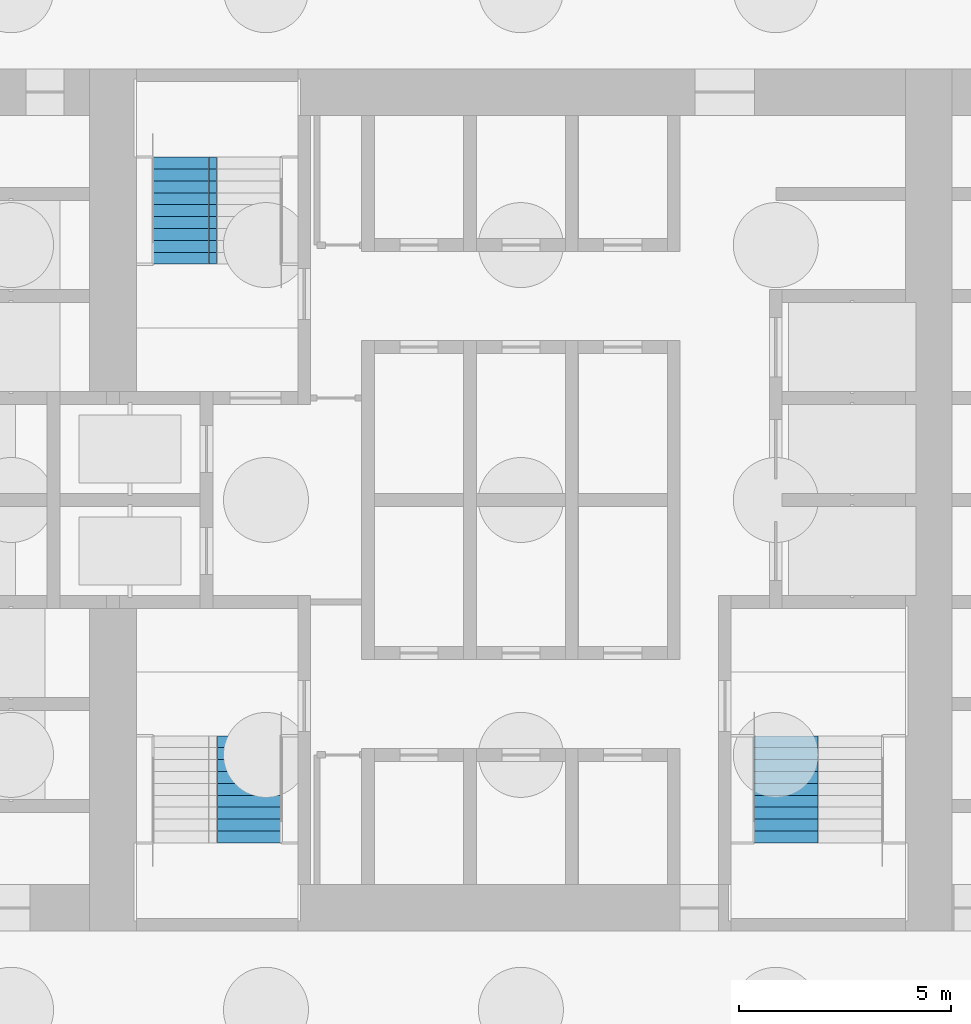
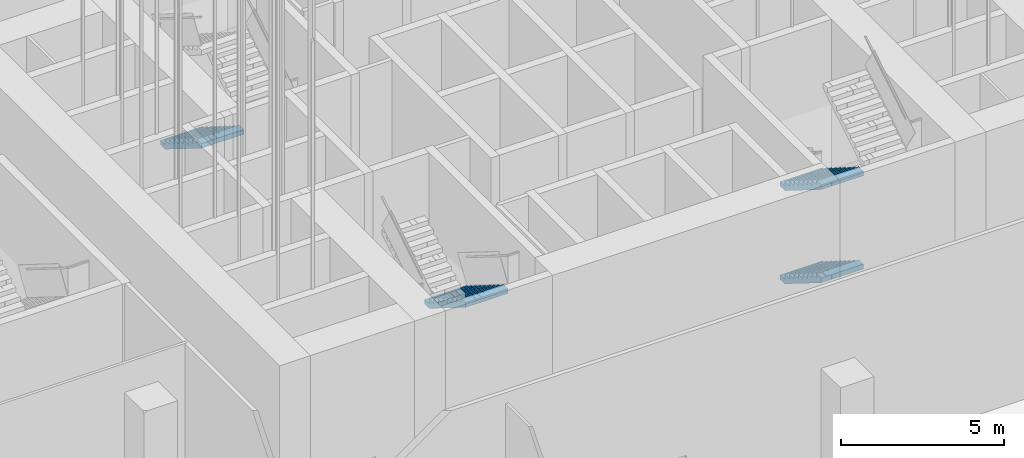
# One storey, part 23 of 68: 4 stair flights, 3 elements without a shape of their own.
"""IFC4 building model written with IfcOpenShell, lengths in metres."""

import ifcopenshell
import ifcopenshell.guid

model = None  # the IFC model being written
_history = None  # IfcOwnerHistory: only IFC2X3 demands one
_inside = {}  # id of a spatial element -> (the spatial element, [elements in it])
_under = {}  # id of a project, library or spatial element -> (it, [spatial elements below it])
_declared = {}  # id of a project -> (the project, [libraries it declares])
_typed = {}  # id of a type object -> (the type object, [elements of that type])
_made_of = {}  # id of a material, layer set ... -> (it, [elements and type objects made of it])


def new_model(schema):
    """Start an empty IFC model of exactly this schema.

    Asked for "IFC4X3", IfcOpenShell would pick the latest addendum, in which some entities
    have other attributes; the version numbers below select the first issue.
    IFC2X3 requires an IfcOwnerHistory on every rooted entity: one is made here for all.
    """
    global model, _history
    if schema == "IFC4X3":
        model = ifcopenshell.file(schema_version=(4, 3, 0, 0))
    else:
        model = ifcopenshell.file(schema=schema)
    _inside.clear()
    _under.clear()
    _declared.clear()
    _typed.clear()
    _made_of.clear()
    _history = None
    if model.schema == "IFC2X3":
        org = make("IfcOrganization", Name="unknown")
        user = make(
            "IfcPersonAndOrganization",
            ThePerson=make("IfcPerson", FamilyName="unknown"),
            TheOrganization=org,
        )
        app = make(
            "IfcApplication",
            ApplicationDeveloper=org,
            Version="unknown",
            ApplicationFullName="unknown",
            ApplicationIdentifier="unknown",
        )
        _history = make(
            "IfcOwnerHistory",
            OwningUser=user,
            OwningApplication=app,
            ChangeAction="ADDED",
            CreationDate=0,
        )
    return model


def make(cls, **values):
    """One entity of the class cls with the attributes given. An attribute that is None is left unset."""
    return model.create_entity(
        cls, **{name: value for name, value in values.items() if value is not None}
    )


def rooted(cls, **values):
    """An entity with a GlobalId (a new one), such as an element, a storey or a relation."""
    return make(cls, GlobalId=ifcopenshell.guid.new(), OwnerHistory=_history, **values)


def si_unit(unit_type, name, prefix=None):
    """IfcSIUnit, for example si_unit("LENGTHUNIT", "METRE", prefix="MILLI")."""
    return make("IfcSIUnit", UnitType=unit_type, Prefix=prefix, Name=name)


def assignment(units):
    """IfcUnitAssignment: the units of a project."""
    return None if units is None else make("IfcUnitAssignment", Units=units)


def point(xyz):
    """IfcCartesianPoint."""
    return None if xyz is None else make("IfcCartesianPoint", Coordinates=xyz)


def direction(xyz):
    """IfcDirection."""
    return None if xyz is None else make("IfcDirection", DirectionRatios=xyz)


def frame(location, z_axis=None, x_axis=None):
    """IfcAxis2Placement3D, a coordinate frame: its origin and axes. An axis left out is left unset."""
    return make(
        "IfcAxis2Placement3D",
        Location=point(location),
        Axis=direction(z_axis),
        RefDirection=direction(x_axis),
    )


def origin():
    """The frame at (0, 0, 0) with its axes left unset."""
    return frame((0.0, 0.0, 0.0))


def place(relative_to, where):
    """IfcLocalPlacement: puts the frame where relative to a parent placement (None: the world)."""
    return make(
        "IfcLocalPlacement", PlacementRelTo=relative_to, RelativePlacement=where
    )


def context(
    kind, dimensions, precision=None, world=None, true_north=None, identifier=None
):
    """IfcGeometricRepresentationContext, for example the 3D "Model" context."""
    return make(
        "IfcGeometricRepresentationContext",
        ContextIdentifier=identifier,
        ContextType=kind,
        CoordinateSpaceDimension=dimensions,
        Precision=precision,
        WorldCoordinateSystem=world,
        TrueNorth=true_north,
    )


def subcontext(parent, identifier, kind, view, scale=None):
    """IfcGeometricRepresentationSubContext, for example "Body" below "Model"."""
    return make(
        "IfcGeometricRepresentationSubContext",
        ContextIdentifier=identifier,
        ContextType=kind,
        ParentContext=parent,
        TargetScale=scale,
        TargetView=view,
    )


def project(units=None, contexts=None):
    """IfcProject with its units and contexts."""
    return rooted(
        "IfcProject",
        Name="project",
        RepresentationContexts=contexts,
        UnitsInContext=assignment(units),
    )


def spatial(cls, under=None, at=None, **own):
    """A site, building, storey or space (cls), placed at a placement, below another one or the project."""
    s = rooted(cls, ObjectPlacement=at, **own)
    if under is not None:
        _under.setdefault(under.id(), (under, []))[1].append(s)
    return s


def polyline(points):
    """IfcPolyline through the points."""
    return make("IfcPolyline", Points=[point(p) for p in points])


def outline(outer, holes=None, kind="AREA"):
    """IfcArbitraryClosedProfileDef: a profile drawn as a closed curve; with holes, ...WithVoids."""
    if holes is None:
        return make("IfcArbitraryClosedProfileDef", ProfileType=kind, OuterCurve=outer)
    return make(
        "IfcArbitraryProfileDefWithVoids",
        ProfileType=kind,
        OuterCurve=outer,
        InnerCurves=holes,
    )


def extrude(swept, where, along, depth):
    """IfcExtrudedAreaSolid: the profile swept, set in the frame where, extruded along a direction by depth."""
    return make(
        "IfcExtrudedAreaSolid",
        SweptArea=swept,
        Position=where,
        ExtrudedDirection=direction(along),
        Depth=depth,
    )


def shape(context_of_items, identifier, shape_type, items):
    """IfcShapeRepresentation: the items that make up one representation, for example the "Body"."""
    return make(
        "IfcShapeRepresentation",
        ContextOfItems=context_of_items,
        RepresentationIdentifier=identifier,
        RepresentationType=shape_type,
        Items=items,
    )


def material(Name=None, Category=None):
    """IfcMaterial."""
    return make("IfcMaterial", Name=Name, Category=Category)


def made_of(thing, what):
    """Note that an element or type object is made of a material, layer set ...; save() writes the relation."""
    if what is not None:
        _made_of.setdefault(what.id(), (what, []))[1].append(thing)
    return thing


def type_object(cls, material=None, **own):
    """A type object (cls), such as IfcWallType, which elements share."""
    return made_of(rooted(cls, **own), material)


def element(
    cls,
    number,
    at=None,
    inside=None,
    cuts=None,
    type_object=None,
    material=None,
    context=None,
    identifier="Body",
    shape_type=None,
    held_by="IfcProductDefinitionShape",
    body=None,
    shapes=None,
    **own,
):
    """One element of the class cls, such as IfcWall. Its Tag is "e" and its number.

    at: its placement. inside: the storey or other place that contains it. cuts: it is an
    opening in that element (IfcRelVoidsElement). A single representation is given by context,
    identifier, shape_type and body (its items); several are given by shapes. held_by: the class
    of the entity that holds the representations. save() writes the other relations.
    """
    e = rooted(cls, Tag="e%d" % number, ObjectPlacement=at, **own)
    if body is not None:
        shapes = [shape(context, identifier, shape_type, body)]
    if shapes is not None:
        e.Representation = make(held_by, Representations=shapes)
    if inside is not None:
        _inside.setdefault(inside.id(), (inside, []))[1].append(e)
    if cuts is not None:
        rooted(
            "IfcRelVoidsElement", RelatingBuildingElement=cuts, RelatedOpeningElement=e
        )
    if type_object is not None:
        _typed.setdefault(type_object.id(), (type_object, []))[1].append(e)
    return made_of(e, material)


def aggregate(whole, parts):
    """IfcRelAggregates: a whole, such as a stair, and the parts it consists of."""
    return rooted("IfcRelAggregates", RelatingObject=whole, RelatedObjects=parts)


def save(model, path):
    """Write the relations noted so far, then the file.

    IfcRelAggregates (storeys below a building ...), IfcRelContainedInSpatialStructure (elements
    in a storey), IfcRelDefinesByType, IfcRelAssociatesMaterial and IfcRelDeclares: one each for
    every whole, place, type object, material and project.
    """
    for whole, parts in _under.values():
        aggregate(whole, parts)
    for where, things in _inside.values():
        rooted(
            "IfcRelContainedInSpatialStructure",
            RelatedElements=things,
            RelatingStructure=where,
        )
    for kind, things in _typed.values():
        rooted("IfcRelDefinesByType", RelatedObjects=things, RelatingType=kind)
    for what, things in _made_of.values():
        rooted("IfcRelAssociatesMaterial", RelatedObjects=things, RelatingMaterial=what)
    for by, libraries in _declared.values():
        rooted("IfcRelDeclares", RelatingContext=by, RelatedDefinitions=libraries)
    model.write(path)


model = new_model("IFC4")

# Units and contexts
model_context = context("Model", 3, precision=1e-05, world=origin(), true_north=direction((0.0, 1.0)))
body_context = subcontext(model_context, "Body", "Model", "MODEL_VIEW")
ifc_project = project(units=[si_unit("LENGTHUNIT", "METRE"), si_unit("AREAUNIT", "SQUARE_METRE"), si_unit("VOLUMEUNIT", "CUBIC_METRE"), si_unit("PLANEANGLEUNIT", "RADIAN"), si_unit("MASSUNIT", "GRAM", prefix="KILO")], contexts=[model_context])

# Site, building, storey
site_placement = place(None, origin())
site = spatial("IfcSite", under=ifc_project, at=site_placement, CompositionType="ELEMENT")
building_placement = place(site_placement, origin())
building = spatial("IfcBuilding", under=site, at=building_placement, Name="Kolab Exchange Tower", CompositionType="ELEMENT")
storey_placement = place(building_placement, origin())
storey = spatial("IfcBuildingStorey", under=building, at=storey_placement, Name="L00", CompositionType="ELEMENT", Elevation=0.0)

# Stair, stair flight
ifc_material = material(Name="Concrete C50/60", Category="concrete")
stair_type_1 = type_object("IfcStairType", Name="STAIR ST1 RISER 175", PredefinedType="DOUBLE_RETURN_STAIR", material=ifc_material)
stair_1_placement = place(storey_placement, origin())
stair_1 = element("IfcStair", 1, at=stair_1_placement, inside=storey, type_object=stair_type_1, Name="Stair 1", PredefinedType="DOUBLE_RETURN_STAIR")
stair_flight_type = type_object("IfcStairFlightType", Name="STAIR FLIGHT 1500 RISER 175", PredefinedType="STRAIGHT", material=ifc_material)
stair_flight_1_placement = place(storey_placement, frame((-7.909912109375, 8.070068359375, 1.75), z_axis=(0.0, 0.0, 1.0), x_axis=(0.0, -1.0, 0.0)))
stair_flight_1 = element("IfcStairFlight", 2, at=stair_flight_1_placement, type_object=stair_flight_type, Name="ST1 flight 2", NumberOfRisers=10, NumberOfTreads=9, PredefinedType="STRAIGHT", RiserHeight=0.175, TreadLength=0.28, context=body_context, shape_type="SweptSolid", body=[
    extrude(outline(polyline([(0.0, 0.0), (0.0, 0.175048828125), (0.280029296875, 0.175048828125), (0.280029296875, 0.35009765625), (0.56005859375, 0.35009765625), (0.56005859375, 0.52490234375), (0.840087890625, 0.52490234375), (0.840087890625, 0.699951171875), (1.1201171875, 0.699951171875), (1.1201171875, 0.875), (1.39990234375, 0.875), (1.39990234375, 1.050048828125), (1.679931640625, 1.050048828125), (1.679931640625, 1.22509765625), (1.9599609375, 1.22509765625), (1.9599609375, 1.39990234375), (2.239990234375, 1.39990234375), (2.239990234375, 1.574951171875), (2.52001953125, 1.574951171875), (2.52001953125, 1.75), (2.52001953125, 1.398193359375), (0.28271484375, 0.0), (0.0, 0.0)])), frame((0.0, 0.75, 0.0), z_axis=(0.0, -1.0, 0.0), x_axis=(1.0, 0.0, 0.0)), (0.0, 0.0, 1.0), 0.185791015625),
    extrude(outline(polyline([(0.0, 0.0), (0.0, 0.175048828125), (0.280029296875, 0.175048828125), (0.280029296875, 0.35009765625), (0.56005859375, 0.35009765625), (0.56005859375, 0.52490234375), (0.840087890625, 0.52490234375), (0.840087890625, 0.699951171875), (1.1201171875, 0.699951171875), (1.1201171875, 0.875), (1.39990234375, 0.875), (1.39990234375, 1.050048828125), (1.679931640625, 1.050048828125), (1.679931640625, 1.22509765625), (1.9599609375, 1.22509765625), (1.9599609375, 1.39990234375), (2.239990234375, 1.39990234375), (2.239990234375, 1.574951171875), (2.52001953125, 1.574951171875), (2.52001953125, 1.75), (2.52001953125, 1.398193359375), (0.28271484375, 0.0), (0.0, 0.0)])), frame((0.0, 0.562255859375, 0.0), z_axis=(0.0, -1.0, 0.0), x_axis=(1.0, 0.0, 0.0)), (0.0, 0.0, 1.0), 0.185791015625),
    extrude(outline(polyline([(0.0, 0.0), (0.0, 0.175048828125), (0.280029296875, 0.175048828125), (0.280029296875, 0.35009765625), (0.56005859375, 0.35009765625), (0.56005859375, 0.52490234375), (0.840087890625, 0.52490234375), (0.840087890625, 0.699951171875), (1.1201171875, 0.699951171875), (1.1201171875, 0.875), (1.39990234375, 0.875), (1.39990234375, 1.050048828125), (1.679931640625, 1.050048828125), (1.679931640625, 1.22509765625), (1.9599609375, 1.22509765625), (1.9599609375, 1.39990234375), (2.239990234375, 1.39990234375), (2.239990234375, 1.574951171875), (2.52001953125, 1.574951171875), (2.52001953125, 1.75), (2.52001953125, 1.398193359375), (0.28271484375, 0.0), (0.0, 0.0)])), frame((0.0, 0.37451171875, 0.0), z_axis=(0.0, -1.0, 0.0), x_axis=(1.0, 0.0, 0.0)), (0.0, 0.0, 1.0), 0.185791015625),
    extrude(outline(polyline([(0.0, 0.0), (0.0, 0.175048828125), (0.280029296875, 0.175048828125), (0.280029296875, 0.35009765625), (0.56005859375, 0.35009765625), (0.56005859375, 0.52490234375), (0.840087890625, 0.52490234375), (0.840087890625, 0.699951171875), (1.1201171875, 0.699951171875), (1.1201171875, 0.875), (1.39990234375, 0.875), (1.39990234375, 1.050048828125), (1.679931640625, 1.050048828125), (1.679931640625, 1.22509765625), (1.9599609375, 1.22509765625), (1.9599609375, 1.39990234375), (2.239990234375, 1.39990234375), (2.239990234375, 1.574951171875), (2.52001953125, 1.574951171875), (2.52001953125, 1.75), (2.52001953125, 1.398193359375), (0.28271484375, 0.0), (0.0, 0.0)])), frame((0.0, 0.186767578125, 0.0), z_axis=(0.0, -1.0, 0.0), x_axis=(1.0, 0.0, 0.0)), (0.0, 0.0, 1.0), 0.185791015625),
    extrude(outline(polyline([(0.0, 0.0), (0.0, 0.175048828125), (0.280029296875, 0.175048828125), (0.280029296875, 0.35009765625), (0.56005859375, 0.35009765625), (0.56005859375, 0.52490234375), (0.840087890625, 0.52490234375), (0.840087890625, 0.699951171875), (1.1201171875, 0.699951171875), (1.1201171875, 0.875), (1.39990234375, 0.875), (1.39990234375, 1.050048828125), (1.679931640625, 1.050048828125), (1.679931640625, 1.22509765625), (1.9599609375, 1.22509765625), (1.9599609375, 1.39990234375), (2.239990234375, 1.39990234375), (2.239990234375, 1.574951171875), (2.52001953125, 1.574951171875), (2.52001953125, 1.75), (2.52001953125, 1.398193359375), (0.28271484375, 0.0), (0.0, 0.0)])), frame((0.0, -0.0009765625, 0.0), z_axis=(0.0, -1.0, 0.0), x_axis=(1.0, 0.0, 0.0)), (0.0, 0.0, 1.0), 0.185791015625),
    extrude(outline(polyline([(0.0, 0.0), (0.0, 0.175048828125), (0.280029296875, 0.175048828125), (0.280029296875, 0.35009765625), (0.56005859375, 0.35009765625), (0.56005859375, 0.52490234375), (0.840087890625, 0.52490234375), (0.840087890625, 0.699951171875), (1.1201171875, 0.699951171875), (1.1201171875, 0.875), (1.39990234375, 0.875), (1.39990234375, 1.050048828125), (1.679931640625, 1.050048828125), (1.679931640625, 1.22509765625), (1.9599609375, 1.22509765625), (1.9599609375, 1.39990234375), (2.239990234375, 1.39990234375), (2.239990234375, 1.574951171875), (2.52001953125, 1.574951171875), (2.52001953125, 1.75), (2.52001953125, 1.398193359375), (0.28271484375, 0.0), (0.0, 0.0)])), frame((0.0, -0.188720703125, 0.0), z_axis=(0.0, -1.0, 0.0), x_axis=(1.0, 0.0, 0.0)), (0.0, 0.0, 1.0), 0.185791015625),
    extrude(outline(polyline([(0.0, 0.0), (0.0, 0.175048828125), (0.280029296875, 0.175048828125), (0.280029296875, 0.35009765625), (0.56005859375, 0.35009765625), (0.56005859375, 0.52490234375), (0.840087890625, 0.52490234375), (0.840087890625, 0.699951171875), (1.1201171875, 0.699951171875), (1.1201171875, 0.875), (1.39990234375, 0.875), (1.39990234375, 1.050048828125), (1.679931640625, 1.050048828125), (1.679931640625, 1.22509765625), (1.9599609375, 1.22509765625), (1.9599609375, 1.39990234375), (2.239990234375, 1.39990234375), (2.239990234375, 1.574951171875), (2.52001953125, 1.574951171875), (2.52001953125, 1.75), (2.52001953125, 1.398193359375), (0.28271484375, 0.0), (0.0, 0.0)])), frame((0.0, -0.37646484375, 0.0), z_axis=(0.0, -1.0, 0.0), x_axis=(1.0, 0.0, 0.0)), (0.0, 0.0, 1.0), 0.185791015625),
    extrude(outline(polyline([(0.0, 0.0), (0.0, 0.175048828125), (0.280029296875, 0.175048828125), (0.280029296875, 0.35009765625), (0.56005859375, 0.35009765625), (0.56005859375, 0.52490234375), (0.840087890625, 0.52490234375), (0.840087890625, 0.699951171875), (1.1201171875, 0.699951171875), (1.1201171875, 0.875), (1.39990234375, 0.875), (1.39990234375, 1.050048828125), (1.679931640625, 1.050048828125), (1.679931640625, 1.22509765625), (1.9599609375, 1.22509765625), (1.9599609375, 1.39990234375), (2.239990234375, 1.39990234375), (2.239990234375, 1.574951171875), (2.52001953125, 1.574951171875), (2.52001953125, 1.75), (2.52001953125, 1.398193359375), (0.28271484375, 0.0), (0.0, 0.0)])), frame((0.0, -0.564208984375, 0.0), z_axis=(0.0, -1.0, 0.0), x_axis=(1.0, 0.0, 0.0)), (0.0, 0.0, 1.0), 0.185791015625),
])
aggregate(stair_1, [stair_flight_1])

stair_type_2 = type_object("IfcStairType", Name="STAIR ST3 RISER 175", PredefinedType="DOUBLE_RETURN_STAIR", material=ifc_material)
stair_2_placement = place(storey_placement, origin())
stair_2 = element("IfcStair", 3, at=stair_2_placement, inside=storey, type_object=stair_type_2, Name="Stair 3", PredefinedType="DOUBLE_RETURN_STAIR")
stair_flight_2_placement = place(storey_placement, frame((-6.389892578125, -5.550048828125, 3.5), z_axis=(0.0, 0.0, 1.0), x_axis=(0.0, -1.0, 0.0)))
stair_flight_2 = element("IfcStairFlight", 4, at=stair_flight_2_placement, type_object=stair_flight_type, Name="ST3 flight 3", NumberOfRisers=10, NumberOfTreads=9, PredefinedType="STRAIGHT", RiserHeight=0.175, TreadLength=0.28, context=body_context, shape_type="SweptSolid", body=[
    extrude(outline(polyline([(0.0, 0.0), (0.0, 0.175048828125), (0.280029296875, 0.175048828125), (0.280029296875, 0.35009765625), (0.56005859375, 0.35009765625), (0.56005859375, 0.52490234375), (0.840087890625, 0.52490234375), (0.840087890625, 0.699951171875), (1.1201171875, 0.699951171875), (1.1201171875, 0.875), (1.39990234375, 0.875), (1.39990234375, 1.050048828125), (1.679931640625, 1.050048828125), (1.679931640625, 1.22509765625), (1.9599609375, 1.22509765625), (1.9599609375, 1.39990234375), (2.239990234375, 1.39990234375), (2.239990234375, 1.574951171875), (2.52001953125, 1.574951171875), (2.52001953125, 1.75), (2.52001953125, 1.398193359375), (0.28271484375, 0.0), (0.0, 0.0)])), frame((0.0, 0.75, 0.0), z_axis=(0.0, -1.0, 0.0), x_axis=(1.0, 0.0, 0.0)), (0.0, 0.0, 1.0), 0.185791015625),
    extrude(outline(polyline([(0.0, 0.0), (0.0, 0.175048828125), (0.280029296875, 0.175048828125), (0.280029296875, 0.35009765625), (0.56005859375, 0.35009765625), (0.56005859375, 0.52490234375), (0.840087890625, 0.52490234375), (0.840087890625, 0.699951171875), (1.1201171875, 0.699951171875), (1.1201171875, 0.875), (1.39990234375, 0.875), (1.39990234375, 1.050048828125), (1.679931640625, 1.050048828125), (1.679931640625, 1.22509765625), (1.9599609375, 1.22509765625), (1.9599609375, 1.39990234375), (2.239990234375, 1.39990234375), (2.239990234375, 1.574951171875), (2.52001953125, 1.574951171875), (2.52001953125, 1.75), (2.52001953125, 1.398193359375), (0.28271484375, 0.0), (0.0, 0.0)])), frame((0.0, 0.562255859375, 0.0), z_axis=(0.0, -1.0, 0.0), x_axis=(1.0, 0.0, 0.0)), (0.0, 0.0, 1.0), 0.185791015625),
    extrude(outline(polyline([(0.0, 0.0), (0.0, 0.175048828125), (0.280029296875, 0.175048828125), (0.280029296875, 0.35009765625), (0.56005859375, 0.35009765625), (0.56005859375, 0.52490234375), (0.840087890625, 0.52490234375), (0.840087890625, 0.699951171875), (1.1201171875, 0.699951171875), (1.1201171875, 0.875), (1.39990234375, 0.875), (1.39990234375, 1.050048828125), (1.679931640625, 1.050048828125), (1.679931640625, 1.22509765625), (1.9599609375, 1.22509765625), (1.9599609375, 1.39990234375), (2.239990234375, 1.39990234375), (2.239990234375, 1.574951171875), (2.52001953125, 1.574951171875), (2.52001953125, 1.75), (2.52001953125, 1.398193359375), (0.28271484375, 0.0), (0.0, 0.0)])), frame((0.0, 0.37451171875, 0.0), z_axis=(0.0, -1.0, 0.0), x_axis=(1.0, 0.0, 0.0)), (0.0, 0.0, 1.0), 0.185791015625),
    extrude(outline(polyline([(0.0, 0.0), (0.0, 0.175048828125), (0.280029296875, 0.175048828125), (0.280029296875, 0.35009765625), (0.56005859375, 0.35009765625), (0.56005859375, 0.52490234375), (0.840087890625, 0.52490234375), (0.840087890625, 0.699951171875), (1.1201171875, 0.699951171875), (1.1201171875, 0.875), (1.39990234375, 0.875), (1.39990234375, 1.050048828125), (1.679931640625, 1.050048828125), (1.679931640625, 1.22509765625), (1.9599609375, 1.22509765625), (1.9599609375, 1.39990234375), (2.239990234375, 1.39990234375), (2.239990234375, 1.574951171875), (2.52001953125, 1.574951171875), (2.52001953125, 1.75), (2.52001953125, 1.398193359375), (0.28271484375, 0.0), (0.0, 0.0)])), frame((0.0, 0.186767578125, 0.0), z_axis=(0.0, -1.0, 0.0), x_axis=(1.0, 0.0, 0.0)), (0.0, 0.0, 1.0), 0.185791015625),
    extrude(outline(polyline([(0.0, 0.0), (0.0, 0.175048828125), (0.280029296875, 0.175048828125), (0.280029296875, 0.35009765625), (0.56005859375, 0.35009765625), (0.56005859375, 0.52490234375), (0.840087890625, 0.52490234375), (0.840087890625, 0.699951171875), (1.1201171875, 0.699951171875), (1.1201171875, 0.875), (1.39990234375, 0.875), (1.39990234375, 1.050048828125), (1.679931640625, 1.050048828125), (1.679931640625, 1.22509765625), (1.9599609375, 1.22509765625), (1.9599609375, 1.39990234375), (2.239990234375, 1.39990234375), (2.239990234375, 1.574951171875), (2.52001953125, 1.574951171875), (2.52001953125, 1.75), (2.52001953125, 1.398193359375), (0.28271484375, 0.0), (0.0, 0.0)])), frame((0.0, -0.0009765625, 0.0), z_axis=(0.0, -1.0, 0.0), x_axis=(1.0, 0.0, 0.0)), (0.0, 0.0, 1.0), 0.185791015625),
    extrude(outline(polyline([(0.0, 0.0), (0.0, 0.175048828125), (0.280029296875, 0.175048828125), (0.280029296875, 0.35009765625), (0.56005859375, 0.35009765625), (0.56005859375, 0.52490234375), (0.840087890625, 0.52490234375), (0.840087890625, 0.699951171875), (1.1201171875, 0.699951171875), (1.1201171875, 0.875), (1.39990234375, 0.875), (1.39990234375, 1.050048828125), (1.679931640625, 1.050048828125), (1.679931640625, 1.22509765625), (1.9599609375, 1.22509765625), (1.9599609375, 1.39990234375), (2.239990234375, 1.39990234375), (2.239990234375, 1.574951171875), (2.52001953125, 1.574951171875), (2.52001953125, 1.75), (2.52001953125, 1.398193359375), (0.28271484375, 0.0), (0.0, 0.0)])), frame((0.0, -0.188720703125, 0.0), z_axis=(0.0, -1.0, 0.0), x_axis=(1.0, 0.0, 0.0)), (0.0, 0.0, 1.0), 0.185791015625),
    extrude(outline(polyline([(0.0, 0.0), (0.0, 0.175048828125), (0.280029296875, 0.175048828125), (0.280029296875, 0.35009765625), (0.56005859375, 0.35009765625), (0.56005859375, 0.52490234375), (0.840087890625, 0.52490234375), (0.840087890625, 0.699951171875), (1.1201171875, 0.699951171875), (1.1201171875, 0.875), (1.39990234375, 0.875), (1.39990234375, 1.050048828125), (1.679931640625, 1.050048828125), (1.679931640625, 1.22509765625), (1.9599609375, 1.22509765625), (1.9599609375, 1.39990234375), (2.239990234375, 1.39990234375), (2.239990234375, 1.574951171875), (2.52001953125, 1.574951171875), (2.52001953125, 1.75), (2.52001953125, 1.398193359375), (0.28271484375, 0.0), (0.0, 0.0)])), frame((0.0, -0.37646484375, 0.0), z_axis=(0.0, -1.0, 0.0), x_axis=(1.0, 0.0, 0.0)), (0.0, 0.0, 1.0), 0.185791015625),
    extrude(outline(polyline([(0.0, 0.0), (0.0, 0.175048828125), (0.280029296875, 0.175048828125), (0.280029296875, 0.35009765625), (0.56005859375, 0.35009765625), (0.56005859375, 0.52490234375), (0.840087890625, 0.52490234375), (0.840087890625, 0.699951171875), (1.1201171875, 0.699951171875), (1.1201171875, 0.875), (1.39990234375, 0.875), (1.39990234375, 1.050048828125), (1.679931640625, 1.050048828125), (1.679931640625, 1.22509765625), (1.9599609375, 1.22509765625), (1.9599609375, 1.39990234375), (2.239990234375, 1.39990234375), (2.239990234375, 1.574951171875), (2.52001953125, 1.574951171875), (2.52001953125, 1.75), (2.52001953125, 1.398193359375), (0.28271484375, 0.0), (0.0, 0.0)])), frame((0.0, -0.564208984375, 0.0), z_axis=(0.0, -1.0, 0.0), x_axis=(1.0, 0.0, 0.0)), (0.0, 0.0, 1.0), 0.185791015625),
])
aggregate(stair_2, [stair_flight_2])

# Stair, stair flights
stair_type_3 = type_object("IfcStairType", Name="STAIR ST2 RISER 175", PredefinedType="DOUBLE_RETURN_STAIR", material=ifc_material)
stair_3_placement = place(storey_placement, origin())
stair_3 = element("IfcStair", 5, at=stair_3_placement, inside=storey, type_object=stair_type_3, Name="Stair 2", PredefinedType="DOUBLE_RETURN_STAIR")
stair_flight_3_placement = place(storey_placement, frame((6.239990234375, -5.550048828125, 0.0), z_axis=(0.0, 0.0, 1.0), x_axis=(0.0, -1.0, 0.0)))
stair_flight_3 = element("IfcStairFlight", 6, at=stair_flight_3_placement, type_object=stair_flight_type, Name="ST2 flight 1", NumberOfRisers=10, NumberOfTreads=9, PredefinedType="STRAIGHT", RiserHeight=0.175, TreadLength=0.28, context=body_context, shape_type="SweptSolid", body=[
    extrude(outline(polyline([(0.0, 0.0), (0.0, 0.175048828125), (0.280029296875, 0.175048828125), (0.280029296875, 0.35009765625), (0.56005859375, 0.35009765625), (0.56005859375, 0.52490234375), (0.840087890625, 0.52490234375), (0.840087890625, 0.699951171875), (1.1201171875, 0.699951171875), (1.1201171875, 0.875), (1.39990234375, 0.875), (1.39990234375, 1.050048828125), (1.679931640625, 1.050048828125), (1.679931640625, 1.22509765625), (1.9599609375, 1.22509765625), (1.9599609375, 1.39990234375), (2.239990234375, 1.39990234375), (2.239990234375, 1.574951171875), (2.52001953125, 1.574951171875), (2.52001953125, 1.75), (2.52001953125, 1.398193359375), (0.28271484375, 0.0), (0.0, 0.0)])), frame((0.0, 0.75, 0.0), z_axis=(0.0, -1.0, 0.0), x_axis=(1.0, 0.0, 0.0)), (0.0, 0.0, 1.0), 0.185791015625),
    extrude(outline(polyline([(0.0, 0.0), (0.0, 0.175048828125), (0.280029296875, 0.175048828125), (0.280029296875, 0.35009765625), (0.56005859375, 0.35009765625), (0.56005859375, 0.52490234375), (0.840087890625, 0.52490234375), (0.840087890625, 0.699951171875), (1.1201171875, 0.699951171875), (1.1201171875, 0.875), (1.39990234375, 0.875), (1.39990234375, 1.050048828125), (1.679931640625, 1.050048828125), (1.679931640625, 1.22509765625), (1.9599609375, 1.22509765625), (1.9599609375, 1.39990234375), (2.239990234375, 1.39990234375), (2.239990234375, 1.574951171875), (2.52001953125, 1.574951171875), (2.52001953125, 1.75), (2.52001953125, 1.398193359375), (0.28271484375, 0.0), (0.0, 0.0)])), frame((0.0, 0.562255859375, 0.0), z_axis=(0.0, -1.0, 0.0), x_axis=(1.0, 0.0, 0.0)), (0.0, 0.0, 1.0), 0.185791015625),
    extrude(outline(polyline([(0.0, 0.0), (0.0, 0.175048828125), (0.280029296875, 0.175048828125), (0.280029296875, 0.35009765625), (0.56005859375, 0.35009765625), (0.56005859375, 0.52490234375), (0.840087890625, 0.52490234375), (0.840087890625, 0.699951171875), (1.1201171875, 0.699951171875), (1.1201171875, 0.875), (1.39990234375, 0.875), (1.39990234375, 1.050048828125), (1.679931640625, 1.050048828125), (1.679931640625, 1.22509765625), (1.9599609375, 1.22509765625), (1.9599609375, 1.39990234375), (2.239990234375, 1.39990234375), (2.239990234375, 1.574951171875), (2.52001953125, 1.574951171875), (2.52001953125, 1.75), (2.52001953125, 1.398193359375), (0.28271484375, 0.0), (0.0, 0.0)])), frame((0.0, 0.37451171875, 0.0), z_axis=(0.0, -1.0, 0.0), x_axis=(1.0, 0.0, 0.0)), (0.0, 0.0, 1.0), 0.185791015625),
    extrude(outline(polyline([(0.0, 0.0), (0.0, 0.175048828125), (0.280029296875, 0.175048828125), (0.280029296875, 0.35009765625), (0.56005859375, 0.35009765625), (0.56005859375, 0.52490234375), (0.840087890625, 0.52490234375), (0.840087890625, 0.699951171875), (1.1201171875, 0.699951171875), (1.1201171875, 0.875), (1.39990234375, 0.875), (1.39990234375, 1.050048828125), (1.679931640625, 1.050048828125), (1.679931640625, 1.22509765625), (1.9599609375, 1.22509765625), (1.9599609375, 1.39990234375), (2.239990234375, 1.39990234375), (2.239990234375, 1.574951171875), (2.52001953125, 1.574951171875), (2.52001953125, 1.75), (2.52001953125, 1.398193359375), (0.28271484375, 0.0), (0.0, 0.0)])), frame((0.0, 0.186767578125, 0.0), z_axis=(0.0, -1.0, 0.0), x_axis=(1.0, 0.0, 0.0)), (0.0, 0.0, 1.0), 0.185791015625),
    extrude(outline(polyline([(0.0, 0.0), (0.0, 0.175048828125), (0.280029296875, 0.175048828125), (0.280029296875, 0.35009765625), (0.56005859375, 0.35009765625), (0.56005859375, 0.52490234375), (0.840087890625, 0.52490234375), (0.840087890625, 0.699951171875), (1.1201171875, 0.699951171875), (1.1201171875, 0.875), (1.39990234375, 0.875), (1.39990234375, 1.050048828125), (1.679931640625, 1.050048828125), (1.679931640625, 1.22509765625), (1.9599609375, 1.22509765625), (1.9599609375, 1.39990234375), (2.239990234375, 1.39990234375), (2.239990234375, 1.574951171875), (2.52001953125, 1.574951171875), (2.52001953125, 1.75), (2.52001953125, 1.398193359375), (0.28271484375, 0.0), (0.0, 0.0)])), frame((0.0, -0.0009765625, 0.0), z_axis=(0.0, -1.0, 0.0), x_axis=(1.0, 0.0, 0.0)), (0.0, 0.0, 1.0), 0.185791015625),
    extrude(outline(polyline([(0.0, 0.0), (0.0, 0.175048828125), (0.280029296875, 0.175048828125), (0.280029296875, 0.35009765625), (0.56005859375, 0.35009765625), (0.56005859375, 0.52490234375), (0.840087890625, 0.52490234375), (0.840087890625, 0.699951171875), (1.1201171875, 0.699951171875), (1.1201171875, 0.875), (1.39990234375, 0.875), (1.39990234375, 1.050048828125), (1.679931640625, 1.050048828125), (1.679931640625, 1.22509765625), (1.9599609375, 1.22509765625), (1.9599609375, 1.39990234375), (2.239990234375, 1.39990234375), (2.239990234375, 1.574951171875), (2.52001953125, 1.574951171875), (2.52001953125, 1.75), (2.52001953125, 1.398193359375), (0.28271484375, 0.0), (0.0, 0.0)])), frame((0.0, -0.188720703125, 0.0), z_axis=(0.0, -1.0, 0.0), x_axis=(1.0, 0.0, 0.0)), (0.0, 0.0, 1.0), 0.185791015625),
    extrude(outline(polyline([(0.0, 0.0), (0.0, 0.175048828125), (0.280029296875, 0.175048828125), (0.280029296875, 0.35009765625), (0.56005859375, 0.35009765625), (0.56005859375, 0.52490234375), (0.840087890625, 0.52490234375), (0.840087890625, 0.699951171875), (1.1201171875, 0.699951171875), (1.1201171875, 0.875), (1.39990234375, 0.875), (1.39990234375, 1.050048828125), (1.679931640625, 1.050048828125), (1.679931640625, 1.22509765625), (1.9599609375, 1.22509765625), (1.9599609375, 1.39990234375), (2.239990234375, 1.39990234375), (2.239990234375, 1.574951171875), (2.52001953125, 1.574951171875), (2.52001953125, 1.75), (2.52001953125, 1.398193359375), (0.28271484375, 0.0), (0.0, 0.0)])), frame((0.0, -0.37646484375, 0.0), z_axis=(0.0, -1.0, 0.0), x_axis=(1.0, 0.0, 0.0)), (0.0, 0.0, 1.0), 0.185791015625),
    extrude(outline(polyline([(0.0, 0.0), (0.0, 0.175048828125), (0.280029296875, 0.175048828125), (0.280029296875, 0.35009765625), (0.56005859375, 0.35009765625), (0.56005859375, 0.52490234375), (0.840087890625, 0.52490234375), (0.840087890625, 0.699951171875), (1.1201171875, 0.699951171875), (1.1201171875, 0.875), (1.39990234375, 0.875), (1.39990234375, 1.050048828125), (1.679931640625, 1.050048828125), (1.679931640625, 1.22509765625), (1.9599609375, 1.22509765625), (1.9599609375, 1.39990234375), (2.239990234375, 1.39990234375), (2.239990234375, 1.574951171875), (2.52001953125, 1.574951171875), (2.52001953125, 1.75), (2.52001953125, 1.398193359375), (0.28271484375, 0.0), (0.0, 0.0)])), frame((0.0, -0.564208984375, 0.0), z_axis=(0.0, -1.0, 0.0), x_axis=(1.0, 0.0, 0.0)), (0.0, 0.0, 1.0), 0.185791015625),
])
stair_flight_4_placement = place(storey_placement, frame((6.239990234375, -5.550048828125, 3.5), z_axis=(0.0, 0.0, 1.0), x_axis=(0.0, -1.0, 0.0)))
stair_flight_4 = element("IfcStairFlight", 7, at=stair_flight_4_placement, type_object=stair_flight_type, Name="ST2 flight 3", NumberOfRisers=10, NumberOfTreads=9, PredefinedType="STRAIGHT", RiserHeight=0.175, TreadLength=0.28, context=body_context, shape_type="SweptSolid", body=[
    extrude(outline(polyline([(0.0, 0.0), (0.0, 0.175048828125), (0.280029296875, 0.175048828125), (0.280029296875, 0.35009765625), (0.56005859375, 0.35009765625), (0.56005859375, 0.52490234375), (0.840087890625, 0.52490234375), (0.840087890625, 0.699951171875), (1.1201171875, 0.699951171875), (1.1201171875, 0.875), (1.39990234375, 0.875), (1.39990234375, 1.050048828125), (1.679931640625, 1.050048828125), (1.679931640625, 1.22509765625), (1.9599609375, 1.22509765625), (1.9599609375, 1.39990234375), (2.239990234375, 1.39990234375), (2.239990234375, 1.574951171875), (2.52001953125, 1.574951171875), (2.52001953125, 1.75), (2.52001953125, 1.398193359375), (0.28271484375, 0.0), (0.0, 0.0)])), frame((0.0, 0.75, 0.0), z_axis=(0.0, -1.0, 0.0), x_axis=(1.0, 0.0, 0.0)), (0.0, 0.0, 1.0), 0.185791015625),
    extrude(outline(polyline([(0.0, 0.0), (0.0, 0.175048828125), (0.280029296875, 0.175048828125), (0.280029296875, 0.35009765625), (0.56005859375, 0.35009765625), (0.56005859375, 0.52490234375), (0.840087890625, 0.52490234375), (0.840087890625, 0.699951171875), (1.1201171875, 0.699951171875), (1.1201171875, 0.875), (1.39990234375, 0.875), (1.39990234375, 1.050048828125), (1.679931640625, 1.050048828125), (1.679931640625, 1.22509765625), (1.9599609375, 1.22509765625), (1.9599609375, 1.39990234375), (2.239990234375, 1.39990234375), (2.239990234375, 1.574951171875), (2.52001953125, 1.574951171875), (2.52001953125, 1.75), (2.52001953125, 1.398193359375), (0.28271484375, 0.0), (0.0, 0.0)])), frame((0.0, 0.562255859375, 0.0), z_axis=(0.0, -1.0, 0.0), x_axis=(1.0, 0.0, 0.0)), (0.0, 0.0, 1.0), 0.185791015625),
    extrude(outline(polyline([(0.0, 0.0), (0.0, 0.175048828125), (0.280029296875, 0.175048828125), (0.280029296875, 0.35009765625), (0.56005859375, 0.35009765625), (0.56005859375, 0.52490234375), (0.840087890625, 0.52490234375), (0.840087890625, 0.699951171875), (1.1201171875, 0.699951171875), (1.1201171875, 0.875), (1.39990234375, 0.875), (1.39990234375, 1.050048828125), (1.679931640625, 1.050048828125), (1.679931640625, 1.22509765625), (1.9599609375, 1.22509765625), (1.9599609375, 1.39990234375), (2.239990234375, 1.39990234375), (2.239990234375, 1.574951171875), (2.52001953125, 1.574951171875), (2.52001953125, 1.75), (2.52001953125, 1.398193359375), (0.28271484375, 0.0), (0.0, 0.0)])), frame((0.0, 0.37451171875, 0.0), z_axis=(0.0, -1.0, 0.0), x_axis=(1.0, 0.0, 0.0)), (0.0, 0.0, 1.0), 0.185791015625),
    extrude(outline(polyline([(0.0, 0.0), (0.0, 0.175048828125), (0.280029296875, 0.175048828125), (0.280029296875, 0.35009765625), (0.56005859375, 0.35009765625), (0.56005859375, 0.52490234375), (0.840087890625, 0.52490234375), (0.840087890625, 0.699951171875), (1.1201171875, 0.699951171875), (1.1201171875, 0.875), (1.39990234375, 0.875), (1.39990234375, 1.050048828125), (1.679931640625, 1.050048828125), (1.679931640625, 1.22509765625), (1.9599609375, 1.22509765625), (1.9599609375, 1.39990234375), (2.239990234375, 1.39990234375), (2.239990234375, 1.574951171875), (2.52001953125, 1.574951171875), (2.52001953125, 1.75), (2.52001953125, 1.398193359375), (0.28271484375, 0.0), (0.0, 0.0)])), frame((0.0, 0.186767578125, 0.0), z_axis=(0.0, -1.0, 0.0), x_axis=(1.0, 0.0, 0.0)), (0.0, 0.0, 1.0), 0.185791015625),
    extrude(outline(polyline([(0.0, 0.0), (0.0, 0.175048828125), (0.280029296875, 0.175048828125), (0.280029296875, 0.35009765625), (0.56005859375, 0.35009765625), (0.56005859375, 0.52490234375), (0.840087890625, 0.52490234375), (0.840087890625, 0.699951171875), (1.1201171875, 0.699951171875), (1.1201171875, 0.875), (1.39990234375, 0.875), (1.39990234375, 1.050048828125), (1.679931640625, 1.050048828125), (1.679931640625, 1.22509765625), (1.9599609375, 1.22509765625), (1.9599609375, 1.39990234375), (2.239990234375, 1.39990234375), (2.239990234375, 1.574951171875), (2.52001953125, 1.574951171875), (2.52001953125, 1.75), (2.52001953125, 1.398193359375), (0.28271484375, 0.0), (0.0, 0.0)])), frame((0.0, -0.0009765625, 0.0), z_axis=(0.0, -1.0, 0.0), x_axis=(1.0, 0.0, 0.0)), (0.0, 0.0, 1.0), 0.185791015625),
    extrude(outline(polyline([(0.0, 0.0), (0.0, 0.175048828125), (0.280029296875, 0.175048828125), (0.280029296875, 0.35009765625), (0.56005859375, 0.35009765625), (0.56005859375, 0.52490234375), (0.840087890625, 0.52490234375), (0.840087890625, 0.699951171875), (1.1201171875, 0.699951171875), (1.1201171875, 0.875), (1.39990234375, 0.875), (1.39990234375, 1.050048828125), (1.679931640625, 1.050048828125), (1.679931640625, 1.22509765625), (1.9599609375, 1.22509765625), (1.9599609375, 1.39990234375), (2.239990234375, 1.39990234375), (2.239990234375, 1.574951171875), (2.52001953125, 1.574951171875), (2.52001953125, 1.75), (2.52001953125, 1.398193359375), (0.28271484375, 0.0), (0.0, 0.0)])), frame((0.0, -0.188720703125, 0.0), z_axis=(0.0, -1.0, 0.0), x_axis=(1.0, 0.0, 0.0)), (0.0, 0.0, 1.0), 0.185791015625),
    extrude(outline(polyline([(0.0, 0.0), (0.0, 0.175048828125), (0.280029296875, 0.175048828125), (0.280029296875, 0.35009765625), (0.56005859375, 0.35009765625), (0.56005859375, 0.52490234375), (0.840087890625, 0.52490234375), (0.840087890625, 0.699951171875), (1.1201171875, 0.699951171875), (1.1201171875, 0.875), (1.39990234375, 0.875), (1.39990234375, 1.050048828125), (1.679931640625, 1.050048828125), (1.679931640625, 1.22509765625), (1.9599609375, 1.22509765625), (1.9599609375, 1.39990234375), (2.239990234375, 1.39990234375), (2.239990234375, 1.574951171875), (2.52001953125, 1.574951171875), (2.52001953125, 1.75), (2.52001953125, 1.398193359375), (0.28271484375, 0.0), (0.0, 0.0)])), frame((0.0, -0.37646484375, 0.0), z_axis=(0.0, -1.0, 0.0), x_axis=(1.0, 0.0, 0.0)), (0.0, 0.0, 1.0), 0.185791015625),
    extrude(outline(polyline([(0.0, 0.0), (0.0, 0.175048828125), (0.280029296875, 0.175048828125), (0.280029296875, 0.35009765625), (0.56005859375, 0.35009765625), (0.56005859375, 0.52490234375), (0.840087890625, 0.52490234375), (0.840087890625, 0.699951171875), (1.1201171875, 0.699951171875), (1.1201171875, 0.875), (1.39990234375, 0.875), (1.39990234375, 1.050048828125), (1.679931640625, 1.050048828125), (1.679931640625, 1.22509765625), (1.9599609375, 1.22509765625), (1.9599609375, 1.39990234375), (2.239990234375, 1.39990234375), (2.239990234375, 1.574951171875), (2.52001953125, 1.574951171875), (2.52001953125, 1.75), (2.52001953125, 1.398193359375), (0.28271484375, 0.0), (0.0, 0.0)])), frame((0.0, -0.564208984375, 0.0), z_axis=(0.0, -1.0, 0.0), x_axis=(1.0, 0.0, 0.0)), (0.0, 0.0, 1.0), 0.185791015625),
])
aggregate(stair_3, [stair_flight_3, stair_flight_4])

save(model, "model.ifc")
